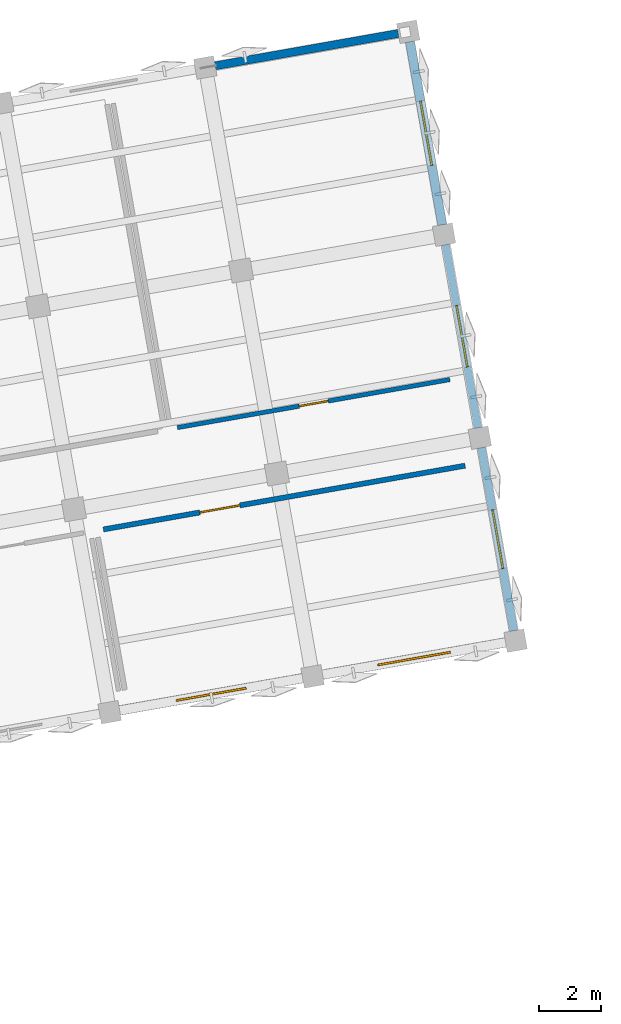
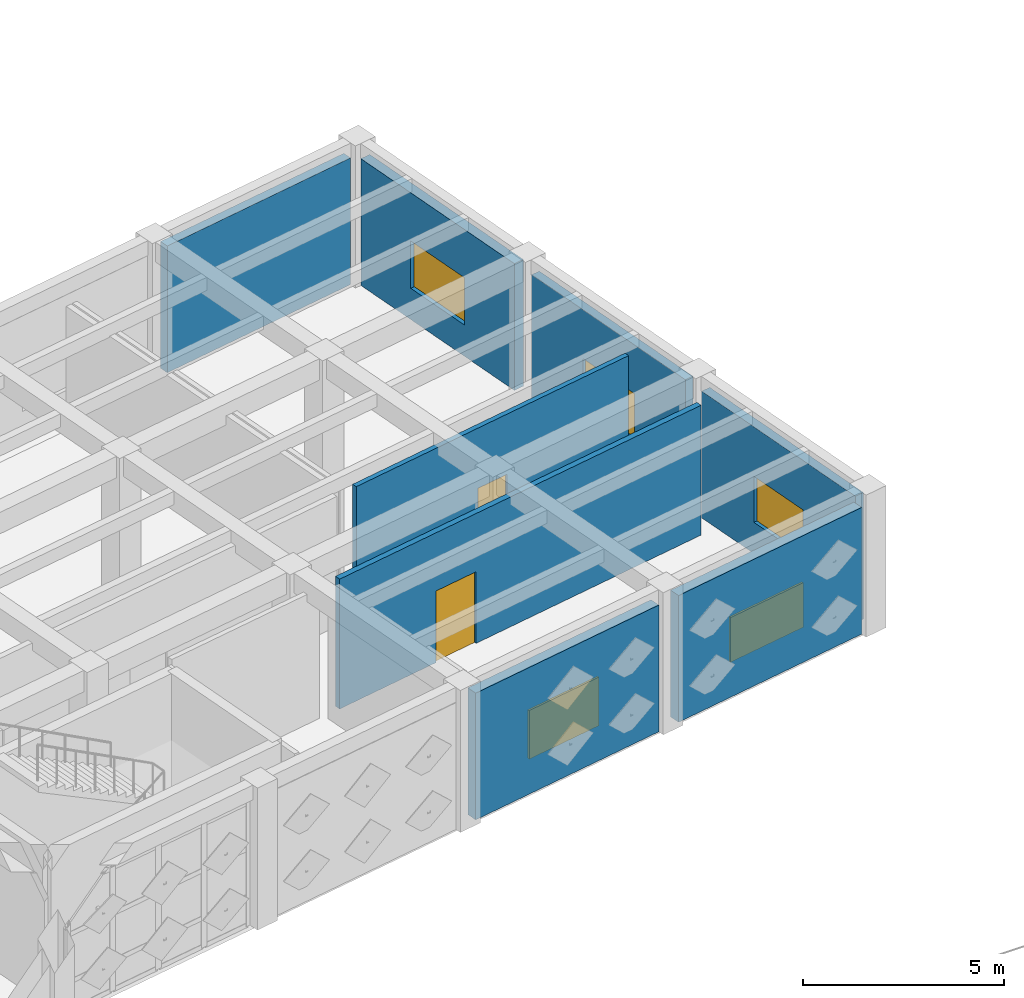
# One storey, part 30 of 39: 8 walls, 5 windows, 2 doors, 7 openings.
"""IFC4 building model written with IfcOpenShell, lengths in metres."""

from ifc_helpers import new_model, si_unit, direction, frame, frame_2d, origin, place, context, subcontext, project, spatial, rectangle, extrude, material, layer, layer_set, type_object, element, fill, save


model = new_model("IFC4")

# Units and contexts
model_context = context("Model", 3, precision=1e-05, world=origin(), true_north=direction((0.0, 1.0)))
body_context = subcontext(model_context, "Body", "Model", "MODEL_VIEW")
ifc_project = project(units=[si_unit("LENGTHUNIT", "METRE"), si_unit("AREAUNIT", "SQUARE_METRE"), si_unit("VOLUMEUNIT", "CUBIC_METRE"), si_unit("PLANEANGLEUNIT", "RADIAN"), si_unit("MASSUNIT", "GRAM", prefix="KILO")], contexts=[model_context])

# Site, building, storey
site_placement = place(None, origin())
site = spatial("IfcSite", under=ifc_project, at=site_placement, CompositionType="ELEMENT")
building_placement = place(site_placement, origin())
building = spatial("IfcBuilding", under=site, at=building_placement, Name="Kharisveld Research Institute", CompositionType="ELEMENT")
storey_placement = place(building_placement, frame((0.0, 0.0, 18.60009765625)))
storey = spatial("IfcBuildingStorey", under=building, at=storey_placement, Name="L04", CompositionType="ELEMENT", Elevation=18.60009765625)

# Wall, opening, window
ifc_material_1 = material(Name="Lightweight Acoustic Spandrel", Category="mineral")
ifc_layer_1 = layer(ifc_material_1, 0.2451171875)
ifc_layer_set_1 = layer_set([ifc_layer_1], Name="WL_EXT_245")
wall_type_1 = type_object("IfcWallType", Name="WL_EXT_245", PredefinedType="STANDARD", material=ifc_layer_set_1)
wall_1_placement = place(storey_placement, frame((41.9619140625, 54.57080078125, 0.0), z_axis=(0.0, 0.0, 1.0), x_axis=(0.173645120828, -0.98480829201, 0.0)))
wall_1 = element("IfcWall", 1, at=wall_1_placement, inside=storey, type_object=wall_type_1, Name="WL:V1:L04:E2", PredefinedType="STANDARD", context=body_context, shape_type="SweptSolid", body=[
    extrude(rectangle(XDim=5.9599609375, YDim=0.2451171875, at=frame_2d((2.97998046875, 0.0))), origin(), (0.0, 0.0, 1.0), 3.85498046875),
])
opening_1_placement = place(wall_1_placement, frame((1.97998046875, 0.0, 0.949951171875)))
opening_1 = element("IfcOpeningElement", 2, at=opening_1_placement, cuts=wall_1, Name="Opening WN-30", PredefinedType="OPENING", context=body_context, shape_type="SweptSolid", body=[
    extrude(rectangle(XDim=2.0, YDim=1.419921875, at=frame_2d((1.0, 0.7099609375))), frame((0.0, 0.12255859375, 0.0), z_axis=(0.0, -1.0, 0.0), x_axis=(1.0, 0.0, 0.0)), (0.0, 0.0, 1.0), 0.2451171875),
])
ifc_material_2 = material(Name="Low-E Double Glazing", Category="glass")
window_type_1 = type_object("IfcWindowType", Name="WN_30", PartitioningType="DOUBLE_PANEL_VERTICAL", PredefinedType="WINDOW", material=ifc_material_2)
window_1_placement = place(opening_1_placement, origin())
window_1 = element("IfcWindow", 3, at=window_1_placement, inside=storey, type_object=window_type_1, Name="WN:V1:L04:E2", OverallHeight=1.419921875, OverallWidth=2.0, PartitioningType="SINGLE_PANEL", PredefinedType="WINDOW", context=body_context, shape_type="SweptSolid", body=[
    extrude(rectangle(XDim=2.0, YDim=1.419921875, at=frame_2d((1.0, 0.7099609375))), frame((0.0, 0.030029296875, 0.0), z_axis=(0.0, -1.0, 0.0), x_axis=(1.0, 0.0, 0.0)), (0.0, 0.0, 1.0), 0.06005859375),
])
fill(opening_1, window_1)

# Wall
ifc_material_3 = material(Name="Precast Concrete C40/50 Thermal Wall", Category="concrete")
ifc_layer_2 = layer(ifc_material_3, 0.260009765625)
ifc_layer_set_2 = layer_set([ifc_layer_2], Name="WL_EXT_260")
wall_type_2 = type_object("IfcWallType", Name="WL_EXT_260", PredefinedType="STANDARD", material=ifc_layer_set_2)
wall_2_placement = place(storey_placement, frame((34.575439453125, 60.295166015625, 0.0), z_axis=(0.0, 0.0, 1.0), x_axis=(0.984809527099, 0.173638116021, 0.0)))
element("IfcWall", 4, at=wall_2_placement, inside=storey, type_object=wall_type_2, Name="WL:V1:L04:N5", PredefinedType="STANDARD", context=body_context, shape_type="SweptSolid", body=[
    extrude(rectangle(XDim=5.960205078125, YDim=0.260009765625, at=frame_2d((2.97998046875, 0.0))), origin(), (0.0, 0.0, 1.0), 3.85498046875),
])

# Wall, opening, window
wall_3_placement = place(storey_placement, frame((43.10791015625, 48.071044921875, 0.0), z_axis=(0.0, 0.0, 1.0), x_axis=(0.173645120828, -0.98480829201, 0.0)))
wall_3 = element("IfcWall", 5, at=wall_3_placement, inside=storey, type_object=wall_type_2, Name="WL:V1:L04:E1", PredefinedType="STANDARD", context=body_context, shape_type="SweptSolid", body=[
    extrude(rectangle(XDim=5.9599609375, YDim=0.260009765625, at=frame_2d((2.97998046875, 0.0))), origin(), (0.0, 0.0, 1.0), 3.85498046875),
])
opening_2_placement = place(wall_3_placement, frame((2.02490234375, 0.0, 0.949951171875)))
opening_2 = element("IfcOpeningElement", 6, at=opening_2_placement, cuts=wall_3, Name="Opening WN-29", PredefinedType="OPENING", context=body_context, shape_type="SweptSolid", body=[
    extrude(rectangle(XDim=1.909912109375, YDim=1.39990234375, at=frame_2d((0.955078125, 0.699951171875))), frame((0.0, 0.1298828125, 0.0), z_axis=(0.0, -1.0, 0.0), x_axis=(1.0, 0.0, 0.0)), (0.0, 0.0, 1.0), 0.260009765625),
])
ifc_material_4 = material(Name="Low-E Double Glazing", Category="glass")
window_type_2 = type_object("IfcWindowType", Name="WN_29", PartitioningType="DOUBLE_PANEL_VERTICAL", PredefinedType="WINDOW", material=ifc_material_4)
window_2_placement = place(opening_2_placement, origin())
window_2 = element("IfcWindow", 7, at=window_2_placement, inside=storey, type_object=window_type_2, Name="WN:V1:L04:E1", OverallHeight=1.39990234375, OverallWidth=1.909912109375, PartitioningType="SINGLE_PANEL", PredefinedType="WINDOW", context=body_context, shape_type="SweptSolid", body=[
    extrude(rectangle(XDim=1.909912109375, YDim=1.39990234375, at=frame_2d((0.955078125, 0.699951171875))), frame((0.0, 0.030029296875, 0.0), z_axis=(0.0, -1.0, 0.0), x_axis=(1.0, 0.0, 0.0)), (0.0, 0.0, 1.0), 0.06005859375),
])
fill(opening_2, window_2)

ifc_material_5 = material(Name="Precast Concrete C40/50 Thermal Wall", Category="concrete")
ifc_layer_3 = layer(ifc_material_5, 0.2900390625)
ifc_layer_set_3 = layer_set([ifc_layer_3], Name="WL_EXT_290")
wall_type_3 = type_object("IfcWallType", Name="WL_EXT_290", PredefinedType="STANDARD", material=ifc_layer_set_3)
wall_4_placement = place(storey_placement, frame((40.815673828125, 61.070556640625, 0.0), z_axis=(0.0, 0.0, 1.0), x_axis=(0.173645120828, -0.98480829201, 0.0)))
wall_4 = element("IfcWall", 8, at=wall_4_placement, inside=storey, type_object=wall_type_3, Name="WL:V1:L04:E3", PredefinedType="STANDARD", context=body_context, shape_type="SweptSolid", body=[
    extrude(rectangle(XDim=5.9599609375, YDim=0.2900390625, at=frame_2d((2.97998046875, 0.0))), origin(), (0.0, 0.0, 1.0), 3.85498046875),
])
opening_3_placement = place(wall_4_placement, frame((1.93505859375, 0.0, 0.949951171875)))
opening_3 = element("IfcOpeningElement", 9, at=opening_3_placement, cuts=wall_4, Name="Opening WN-31", PredefinedType="OPENING", context=body_context, shape_type="SweptSolid", body=[
    extrude(rectangle(XDim=2.090087890625, YDim=1.43994140625, at=frame_2d((1.044921875, 0.719970703125))), frame((0.0, 0.14501953125, 0.0), z_axis=(0.0, -1.0, 0.0), x_axis=(1.0, 0.0, 0.0)), (0.0, 0.0, 1.0), 0.2900390625),
])
ifc_material_6 = material(Name="Low-E Double Glazing", Category="glass")
window_type_3 = type_object("IfcWindowType", Name="WN_31", PartitioningType="DOUBLE_PANEL_VERTICAL", PredefinedType="WINDOW", material=ifc_material_6)
window_3_placement = place(opening_3_placement, origin())
window_3 = element("IfcWindow", 10, at=window_3_placement, inside=storey, type_object=window_type_3, Name="WN:V1:L04:E3", OverallHeight=1.43994140625, OverallWidth=2.090087890625, PartitioningType="SINGLE_PANEL", PredefinedType="WINDOW", context=body_context, shape_type="SweptSolid", body=[
    extrude(rectangle(XDim=2.090087890625, YDim=1.43994140625, at=frame_2d((1.044921875, 0.719970703125))), frame((0.0, 0.030029296875, 0.0), z_axis=(0.0, -1.0, 0.0), x_axis=(1.0, 0.0, 0.0)), (0.0, 0.0, 1.0), 0.06005859375),
])
fill(opening_3, window_3)

ifc_material_7 = material(Name="Precast Concrete C40/50 Ochre Panel", Category="concrete")
ifc_layer_4 = layer(ifc_material_7, 0.304931640625)
ifc_layer_set_4 = layer_set([ifc_layer_4], Name="WL_EXT_305")
wall_type_4 = type_object("IfcWallType", Name="WL_EXT_305", PredefinedType="STANDARD", material=ifc_layer_set_4)
wall_5_placement = place(storey_placement, frame((43.88330078125, 41.830810546875, 0.0), z_axis=(0.0, 0.0, 1.0), x_axis=(-0.98480829201, -0.173645120828, 0.0)))
wall_5 = element("IfcWall", 11, at=wall_5_placement, inside=storey, type_object=wall_type_4, Name="WL:V1:L04:S6", PredefinedType="STANDARD", context=body_context, shape_type="SweptSolid", body=[
    extrude(rectangle(XDim=5.9599609375, YDim=0.304931640625, at=frame_2d((2.97998046875, 0.0))), origin(), (0.0, 0.0, 1.0), 3.85498046875),
])
opening_4_placement = place(wall_5_placement, frame((1.800048828125, 0.0, 0.949951171875)))
opening_4 = element("IfcOpeningElement", 12, at=opening_4_placement, cuts=wall_5, Name="Opening WN-34", PredefinedType="OPENING", context=body_context, shape_type="SweptSolid", body=[
    extrude(rectangle(XDim=2.360107421875, YDim=1.360107421875, at=frame_2d((1.18017578125, 0.68017578125))), frame((0.0, 0.15234375, 0.0), z_axis=(0.0, -1.0, 0.0), x_axis=(1.0, 0.0, 0.0)), (0.0, 0.0, 1.0), 0.304931640625),
])
ifc_material_8 = material(Name="Low-E Double Glazing", Category="glass")
window_type_4 = type_object("IfcWindowType", Name="WN_34", PartitioningType="DOUBLE_PANEL_VERTICAL", PredefinedType="WINDOW", material=ifc_material_8)
window_4_placement = place(opening_4_placement, origin())
window_4 = element("IfcWindow", 13, at=window_4_placement, inside=storey, type_object=window_type_4, Name="WN:V1:L04:S6", OverallHeight=1.360107421875, OverallWidth=2.360107421875, PartitioningType="SINGLE_PANEL", PredefinedType="WINDOW", context=body_context, shape_type="SweptSolid", body=[
    extrude(rectangle(XDim=2.360107421875, YDim=1.360107421875, at=frame_2d((1.18017578125, 0.68017578125))), frame((0.0, 0.030029296875, 0.0), z_axis=(0.0, -1.0, 0.0), x_axis=(1.0, 0.0, 0.0)), (0.0, 0.0, 1.0), 0.06005859375),
])
fill(opening_4, window_4)

wall_6_placement = place(storey_placement, frame((37.383544921875, 40.684814453125, 0.0), z_axis=(0.0, 0.0, 1.0), x_axis=(-0.98480829201, -0.173645120828, 0.0)))
wall_6 = element("IfcWall", 14, at=wall_6_placement, inside=storey, type_object=wall_type_4, Name="WL:V1:L04:S5", PredefinedType="STANDARD", context=body_context, shape_type="SweptSolid", body=[
    extrude(rectangle(XDim=5.9599609375, YDim=0.304931640625, at=frame_2d((2.97998046875, 0.0))), origin(), (0.0, 0.0, 1.0), 3.85498046875),
])
opening_5_placement = place(wall_6_placement, frame((1.844970703125, 0.0, 0.949951171875)))
opening_5 = element("IfcOpeningElement", 15, at=opening_5_placement, cuts=wall_6, Name="Opening WN-33", PredefinedType="OPENING", context=body_context, shape_type="SweptSolid", body=[
    extrude(rectangle(XDim=2.27001953125, YDim=1.47998046875, at=frame_2d((1.135009765625, 0.739990234375))), frame((0.0, 0.15234375, 0.0), z_axis=(0.0, -1.0, 0.0), x_axis=(1.0, 0.0, 0.0)), (0.0, 0.0, 1.0), 0.304931640625),
])
ifc_material_9 = material(Name="Low-E Double Glazing", Category="glass")
window_type_5 = type_object("IfcWindowType", Name="WN_33", PartitioningType="DOUBLE_PANEL_VERTICAL", PredefinedType="WINDOW", material=ifc_material_9)
window_5_placement = place(opening_5_placement, origin())
window_5 = element("IfcWindow", 16, at=window_5_placement, inside=storey, type_object=window_type_5, Name="WN:V1:L04:S5", OverallHeight=1.47998046875, OverallWidth=2.27001953125, PartitioningType="SINGLE_PANEL", PredefinedType="WINDOW", context=body_context, shape_type="SweptSolid", body=[
    extrude(rectangle(XDim=2.27001953125, YDim=1.47998046875, at=frame_2d((1.135009765625, 0.739990234375))), frame((0.0, 0.030029296875, 0.0), z_axis=(0.0, -1.0, 0.0), x_axis=(1.0, 0.0, 0.0)), (0.0, 0.0, 1.0), 0.06005859375),
])
fill(opening_5, window_5)

# Wall, opening, door
ifc_material_10 = material(Name="Acoustic Drywall Partition", Category="mineral")
ifc_layer_5 = layer(ifc_material_10, 0.1650390625)
ifc_layer_set_5 = layer_set([ifc_layer_5], Name="WL_LAB_165")
wall_type_5 = type_object("IfcWallType", Name="WL_LAB_165", PredefinedType="PARTITIONING", material=ifc_layer_set_5)
wall_7_placement = place(storey_placement, frame((42.58056640625, 47.49072265625, 0.0), z_axis=(0.0, 0.0, 1.0), x_axis=(-0.984805704411, -0.173659795463, 0.0)))
wall_7 = element("IfcWall", 17, at=wall_7_placement, inside=storey, type_object=wall_type_5, Name="WL:RM:V1:L04:S2:N", PredefinedType="PARTITIONING", context=body_context, shape_type="SweptSolid", body=[
    extrude(rectangle(XDim=11.760009765625, YDim=0.1650390625, at=frame_2d((5.8798828125, 0.0))), origin(), (0.0, 0.0, 1.0), 3.949951171875),
])
opening_6_placement = place(wall_7_placement, frame((7.322021484375, 0.0, 0.0)))
opening_6 = element("IfcOpeningElement", 18, at=opening_6_placement, cuts=wall_7, Name="Opening DI-110", PredefinedType="OPENING", context=body_context, shape_type="SweptSolid", body=[
    extrude(rectangle(XDim=1.300048828125, YDim=2.179931640625, at=frame_2d((0.64990234375, 1.08984375))), frame((0.0, 0.08251953125, 0.0), z_axis=(0.0, -1.0, 0.0), x_axis=(1.0, 0.0, 0.0)), (0.0, 0.0, 1.0), 0.1650390625),
])
ifc_material_11 = material(Name="Flush Painted Hardwood and Anodised Aluminium", Category="wood")
door_type_1 = type_object("IfcDoorType", Name="DR_SEM_130", OperationType="DOUBLE_DOOR_SINGLE_SWING", PredefinedType="DOOR", material=ifc_material_11)
door_1_placement = place(opening_6_placement, origin())
door_1 = element("IfcDoor", 19, at=door_1_placement, inside=storey, type_object=door_type_1, Name="DR:RM:V1:L04:S2:N", OperationType="DOUBLE_DOOR_SINGLE_SWING", OverallHeight=2.179931640625, OverallWidth=1.300048828125, PredefinedType="DOOR", context=body_context, shape_type="SweptSolid", body=[
    extrude(rectangle(XDim=1.300048828125, YDim=2.179931640625, at=frame_2d((0.64990234375, 1.08984375))), frame((0.0, 0.02490234375, 0.0), z_axis=(0.0, -1.0, 0.0), x_axis=(1.0, 0.0, 0.0)), (0.0, 0.0, 1.0), 0.050048828125),
])
fill(opening_6, door_1)

ifc_material_12 = material(Name="Insulated Stud Partition", Category="mineral")
ifc_layer_6 = layer(ifc_material_12, 0.139892578125)
ifc_layer_set_6 = layer_set([ifc_layer_6], Name="WL_OFF_140")
wall_type_6 = type_object("IfcWallType", Name="WL_OFF_140", PredefinedType="PARTITIONING", material=ifc_layer_set_6)
wall_8_placement = place(storey_placement, frame((33.369140625, 48.709716796875, 0.0), z_axis=(0.0, 0.0, 1.0), x_axis=(0.984811286856, 0.173628135048, 0.0)))
wall_8 = element("IfcWall", 20, at=wall_8_placement, inside=storey, type_object=wall_type_6, Name="WL:RM:V1:L04:N3:S", PredefinedType="PARTITIONING", context=body_context, shape_type="SweptSolid", body=[
    extrude(rectangle(XDim=8.85986328125, YDim=0.139892578125, at=frame_2d((4.429931640625, 0.0))), origin(), (0.0, 0.0, 1.0), 3.949951171875),
])
opening_7_placement = place(wall_8_placement, frame((3.9599609375, 0.0, 0.0)))
opening_7 = element("IfcOpeningElement", 21, at=opening_7_placement, cuts=wall_8, Name="Opening DI-108", PredefinedType="OPENING", context=body_context, shape_type="SweptSolid", body=[
    extrude(rectangle(XDim=0.93994140625, YDim=2.1201171875, at=frame_2d((0.469970703125, 1.06005859375))), frame((0.0, 0.06982421875, 0.0), z_axis=(0.0, -1.0, 0.0), x_axis=(1.0, 0.0, 0.0)), (0.0, 0.0, 1.0), 0.139892578125),
])
ifc_material_13 = material(Name="Flush Painted Hardwood and Anodised Aluminium", Category="wood")
door_type_2 = type_object("IfcDoorType", Name="DR_OFF_094", OperationType="NOTDEFINED", PredefinedType="DOOR", material=ifc_material_13)
door_2_placement = place(opening_7_placement, origin())
door_2 = element("IfcDoor", 22, at=door_2_placement, inside=storey, type_object=door_type_2, Name="DR:RM:V1:L04:N3:S", OperationType="SINGLE_SWING_RIGHT", OverallHeight=2.1201171875, OverallWidth=0.93994140625, PredefinedType="DOOR", context=body_context, shape_type="SweptSolid", body=[
    extrude(rectangle(XDim=0.93994140625, YDim=2.1201171875, at=frame_2d((0.469970703125, 1.06005859375))), frame((0.0, 0.02490234375, 0.0), z_axis=(0.0, -1.0, 0.0), x_axis=(1.0, 0.0, 0.0)), (0.0, 0.0, 1.0), 0.050048828125),
])
fill(opening_7, door_2)

save(model, "model.ifc")
